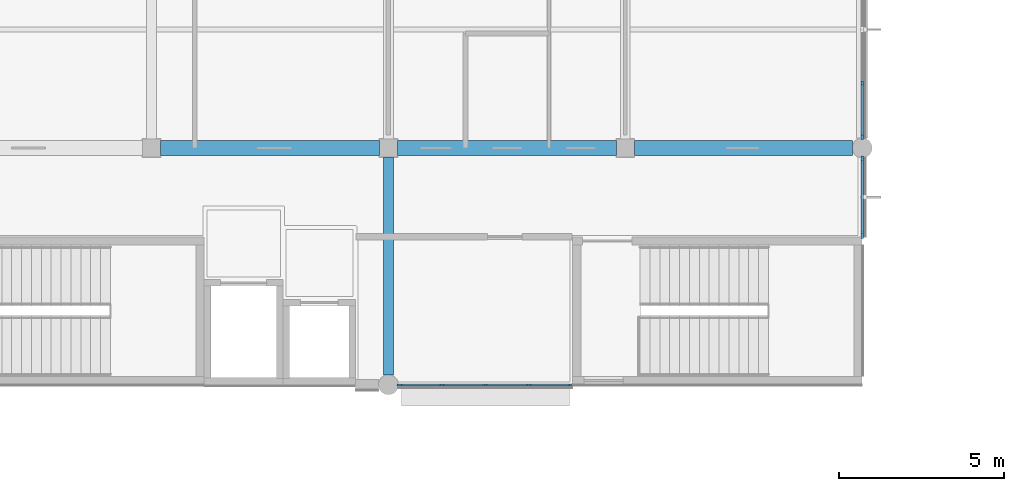
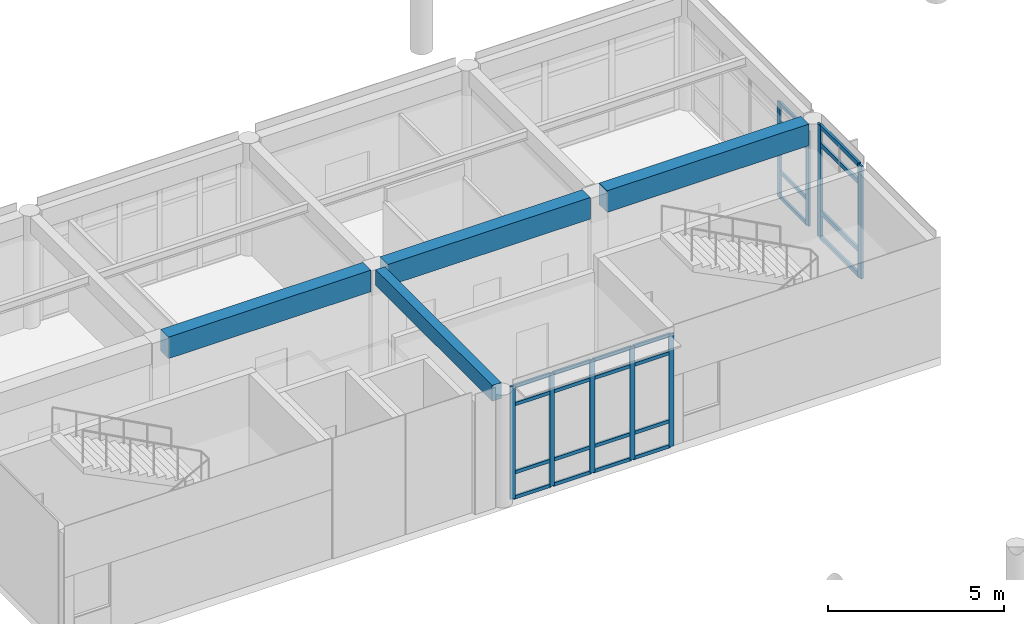
# One storey, part 5 of 29: 33 members, 4 beams, 3 elements without a shape of their own.
"""IFC4 building model written with IfcOpenShell, lengths in metres."""

from ifc_helpers import new_model, si_unit, direction, frame, origin, origin_2d, place, context, subcontext, project, spatial, rectangle, extrude, material, layer, layer_set, material_profile, profile_set, type_object, element, aggregate, save


model = new_model("IFC4")

# Units and contexts
model_context = context("Model", 3, precision=1e-05, world=origin(), true_north=direction((0.0, 1.0)))
body_context = subcontext(model_context, "Body", "Model", "MODEL_VIEW")
ifc_project = project(units=[si_unit("LENGTHUNIT", "METRE"), si_unit("AREAUNIT", "SQUARE_METRE"), si_unit("VOLUMEUNIT", "CUBIC_METRE"), si_unit("PLANEANGLEUNIT", "RADIAN"), si_unit("MASSUNIT", "GRAM", prefix="KILO")], contexts=[model_context])

# Site, building, storey
site_placement = place(None, origin())
site = spatial("IfcSite", under=ifc_project, at=site_placement, CompositionType="ELEMENT")
building_placement = place(site_placement, origin())
building = spatial("IfcBuilding", under=site, at=building_placement, Name="Namkhue Oval Health Centre", CompositionType="ELEMENT")
storey_placement = place(building_placement, frame((0.0, 0.0, 18.0)))
storey = spatial("IfcBuildingStorey", under=building, at=storey_placement, Name="L04", CompositionType="ELEMENT", Elevation=18.0)

# Curtain wall, members
ifc_material_1 = material(Name="Anodised aluminium EN AW-6063 T6", Category="aluminium")
ifc_layer_1 = layer(ifc_material_1, 0.159912109375)
ifc_layer_set_1 = layer_set([ifc_layer_1], Name="Anodised aluminium EN AW-6063 T6")
curtain_wall_type_1 = type_object("IfcCurtainWallType", Name="UNITISED CURTAIN WALL M1500", PredefinedType="NOTDEFINED", material=ifc_layer_set_1)
curtain_wall_1_placement = place(storey_placement, origin())
curtain_wall_1 = element("IfcCurtainWall", 1, at=curtain_wall_1_placement, inside=storey, type_object=curtain_wall_type_1, Name="Volume V3 L04 Unitised Curtain Wall 123", PredefinedType="NOTDEFINED")
ifc_material_profile_1 = material_profile(ifc_material_1, rectangle(XDim=0.06494140625, YDim=0.159912109375, at=origin_2d()), Name="ALU 65x160")
ifc_profile_set_1 = profile_set([ifc_material_profile_1], Name="Anodised aluminium EN AW-6063 T6")
member_type_1 = type_object("IfcMemberType", Name="CURTAIN WALL MULLION 65X160", PredefinedType="MULLION", material=ifc_profile_set_1)
member_1_placement = place(storey_placement, frame((108.342529296875, 90.0, 0.0), z_axis=(0.0, 0.0, 1.0), x_axis=(0.0, 1.0, 0.0)))
member_1 = element("IfcMember", 2, at=member_1_placement, type_object=member_type_1, Name="CW-03 mullion 1", PredefinedType="MULLION", context=body_context, shape_type="SweptSolid", body=[
    extrude(rectangle(XDim=0.06494140625, YDim=0.159912109375, at=origin_2d()), origin(), (0.0, 0.0, 1.0), 3.9150390625),
])
member_2_placement = place(storey_placement, frame((109.628173828125, 90.0, 0.0), z_axis=(0.0, 0.0, 1.0), x_axis=(0.0, 1.0, 0.0)))
member_2 = element("IfcMember", 3, at=member_2_placement, type_object=member_type_1, Name="CW-03 mullion 2", PredefinedType="MULLION", context=body_context, shape_type="SweptSolid", body=[
    extrude(rectangle(XDim=0.06494140625, YDim=0.159912109375, at=origin_2d()), origin(), (0.0, 0.0, 1.0), 3.9150390625),
])
member_3_placement = place(storey_placement, frame((110.946533203125, 90.0, 0.0), z_axis=(0.0, 0.0, 1.0), x_axis=(0.0, 1.0, 0.0)))
member_3 = element("IfcMember", 4, at=member_3_placement, type_object=member_type_1, Name="CW-03 mullion 3", PredefinedType="MULLION", context=body_context, shape_type="SweptSolid", body=[
    extrude(rectangle(XDim=0.06494140625, YDim=0.159912109375, at=origin_2d()), origin(), (0.0, 0.0, 1.0), 3.9150390625),
])
member_4_placement = place(storey_placement, frame((112.2646484375, 90.0, 0.0), z_axis=(0.0, 0.0, 1.0), x_axis=(0.0, 1.0, 0.0)))
member_4 = element("IfcMember", 5, at=member_4_placement, type_object=member_type_1, Name="CW-03 mullion 4", PredefinedType="MULLION", context=body_context, shape_type="SweptSolid", body=[
    extrude(rectangle(XDim=0.06494140625, YDim=0.159912109375, at=origin_2d()), origin(), (0.0, 0.0, 1.0), 3.9150390625),
])
member_5_placement = place(storey_placement, frame((113.550537109375, 90.0, 0.0), z_axis=(0.0, 0.0, 1.0), x_axis=(0.0, 1.0, 0.0)))
member_5 = element("IfcMember", 6, at=member_5_placement, type_object=member_type_1, Name="CW-03 mullion 5", PredefinedType="MULLION", context=body_context, shape_type="SweptSolid", body=[
    extrude(rectangle(XDim=0.06494140625, YDim=0.159912109375, at=origin_2d()), origin(), (0.0, 0.0, 1.0), 3.9150390625),
])

ifc_layer_2 = layer(ifc_material_1, 0.159912109375)
ifc_layer_set_2 = layer_set([ifc_layer_2], Name="Anodised aluminium EN AW-6063 T6")
curtain_wall_type_2 = type_object("IfcCurtainWallType", Name="UNITISED CURTAIN WALL M1800", PredefinedType="NOTDEFINED", material=ifc_layer_set_2)
curtain_wall_2_placement = place(storey_placement, origin())
curtain_wall_2 = element("IfcCurtainWall", 7, at=curtain_wall_2_placement, inside=storey, type_object=curtain_wall_type_2, Name="Volume V3 L04 Unitised Curtain Wall 125", PredefinedType="NOTDEFINED")
member_6_placement = place(storey_placement, frame((122.39990234375, 97.54248046875, 0.0), z_axis=(0.0, 0.0, 1.0), x_axis=(-1.0, 0.0, 0.0)))
member_6 = element("IfcMember", 8, at=member_6_placement, type_object=member_type_1, Name="CW-05 mullion 1", PredefinedType="MULLION", context=body_context, shape_type="SweptSolid", body=[
    extrude(rectangle(XDim=0.06494140625, YDim=0.159912109375, at=origin_2d()), origin(), (0.0, 0.0, 1.0), 3.302001953125),
])
member_7_placement = place(storey_placement, frame((122.39990234375, 99.155029296875, 0.0), z_axis=(0.0, 0.0, 1.0), x_axis=(-1.0, 0.0, 0.0)))
member_7 = element("IfcMember", 9, at=member_7_placement, type_object=member_type_1, Name="CW-05 mullion 2", PredefinedType="MULLION", context=body_context, shape_type="SweptSolid", body=[
    extrude(rectangle(XDim=0.06494140625, YDim=0.159912109375, at=origin_2d()), origin(), (0.0, 0.0, 1.0), 3.302001953125),
])

ifc_layer_3 = layer(ifc_material_1, 0.159912109375)
ifc_layer_set_3 = layer_set([ifc_layer_3], Name="Anodised aluminium EN AW-6063 T6")
curtain_wall_type_3 = type_object("IfcCurtainWallType", Name="UNITISED CURTAIN WALL M1600", PredefinedType="NOTDEFINED", material=ifc_layer_set_3)
curtain_wall_3_placement = place(storey_placement, origin())
curtain_wall_3 = element("IfcCurtainWall", 10, at=curtain_wall_3_placement, inside=storey, type_object=curtain_wall_type_3, Name="Volume V3 L04 Unitised Curtain Wall 124", PredefinedType="NOTDEFINED")
ifc_material_profile_2 = material_profile(ifc_material_1, rectangle(XDim=0.074951171875, YDim=0.199951171875, at=origin_2d()), Name="ALU 75x200")
ifc_profile_set_2 = profile_set([ifc_material_profile_2], Name="Anodised aluminium EN AW-6063 T6")
member_type_2 = type_object("IfcMemberType", Name="CURTAIN WALL MULLION 75X200", PredefinedType="MULLION", material=ifc_profile_set_2)
member_8_placement = place(storey_placement, frame((122.39990234375, 94.554443359375, 0.0), z_axis=(0.0, 0.0, 1.0), x_axis=(-1.0, 0.0, 0.0)))
member_8 = element("IfcMember", 11, at=member_8_placement, type_object=member_type_2, Name="CW-04 mullion 1", PredefinedType="MULLION", context=body_context, shape_type="SweptSolid", body=[
    extrude(rectangle(XDim=0.074951171875, YDim=0.199951171875, at=origin_2d()), origin(), (0.0, 0.0, 1.0), 3.9150390625),
])
member_9_placement = place(storey_placement, frame((122.39990234375, 96.8525390625, 0.0), z_axis=(0.0, 0.0, 1.0), x_axis=(-1.0, 0.0, 0.0)))
member_9 = element("IfcMember", 12, at=member_9_placement, type_object=member_type_2, Name="CW-04 mullion 2", PredefinedType="MULLION", context=body_context, shape_type="SweptSolid", body=[
    extrude(rectangle(XDim=0.074951171875, YDim=0.199951171875, at=origin_2d()), origin(), (0.0, 0.0, 1.0), 3.9150390625),
])

# Member
ifc_material_profile_3 = material_profile(ifc_material_1, rectangle(XDim=0.06494140625, YDim=0.1201171875, at=origin_2d()), Name="ALU 65x120")
ifc_profile_set_3 = profile_set([ifc_material_profile_3], Name="Anodised aluminium EN AW-6063 T6")
member_type_3 = type_object("IfcMemberType", Name="CURTAIN WALL TRANSOM 65X120", PredefinedType="USERDEFINED", material=ifc_profile_set_3)
member_10_placement = place(storey_placement, frame((108.375, 90.0, 0.032470703125), z_axis=(1.0, 0.0, 0.0), x_axis=(0.0, 1.0, 0.0)))
member_10 = element("IfcMember", 13, at=member_10_placement, type_object=member_type_3, Name="CW-03 transom 1.1", ObjectType="TRANSOM", PredefinedType="USERDEFINED", context=body_context, shape_type="SweptSolid", body=[
    extrude(rectangle(XDim=0.06494140625, YDim=0.1201171875, at=origin_2d()), origin(), (0.0, 0.0, 1.0), 1.220703125),
])

member_11_placement = place(storey_placement, frame((108.375, 90.0, 0.89990234375), z_axis=(1.0, 0.0, 0.0), x_axis=(0.0, 1.0, 0.0)))
member_11 = element("IfcMember", 14, at=member_11_placement, type_object=member_type_3, Name="CW-03 transom 1.2", ObjectType="TRANSOM", PredefinedType="USERDEFINED", context=body_context, shape_type="SweptSolid", body=[
    extrude(rectangle(XDim=0.06494140625, YDim=0.1201171875, at=origin_2d()), origin(), (0.0, 0.0, 1.0), 1.220703125),
])

member_12_placement = place(storey_placement, frame((108.375, 90.0, 3.264892578125), z_axis=(1.0, 0.0, 0.0), x_axis=(0.0, 1.0, 0.0)))
member_12 = element("IfcMember", 15, at=member_12_placement, type_object=member_type_3, Name="CW-03 transom 1.3", ObjectType="TRANSOM", PredefinedType="USERDEFINED", context=body_context, shape_type="SweptSolid", body=[
    extrude(rectangle(XDim=0.06494140625, YDim=0.1201171875, at=origin_2d()), origin(), (0.0, 0.0, 1.0), 1.220703125),
])

member_13_placement = place(storey_placement, frame((108.375, 90.0, 3.882568359375), z_axis=(1.0, 0.0, 0.0), x_axis=(0.0, 1.0, 0.0)))
member_13 = element("IfcMember", 16, at=member_13_placement, type_object=member_type_3, Name="CW-03 transom 1.4", ObjectType="TRANSOM", PredefinedType="USERDEFINED", context=body_context, shape_type="SweptSolid", body=[
    extrude(rectangle(XDim=0.06494140625, YDim=0.1201171875, at=origin_2d()), origin(), (0.0, 0.0, 1.0), 1.220703125),
])

member_14_placement = place(storey_placement, frame((109.66064453125, 90.0, 0.032470703125), z_axis=(1.0, 0.0, 0.0), x_axis=(0.0, 1.0, 0.0)))
member_14 = element("IfcMember", 17, at=member_14_placement, type_object=member_type_3, Name="CW-03 transom 2.1", ObjectType="TRANSOM", PredefinedType="USERDEFINED", context=body_context, shape_type="SweptSolid", body=[
    extrude(rectangle(XDim=0.06494140625, YDim=0.1201171875, at=origin_2d()), origin(), (0.0, 0.0, 1.0), 1.25341796875),
])

member_15_placement = place(storey_placement, frame((109.66064453125, 90.0, 0.89990234375), z_axis=(1.0, 0.0, 0.0), x_axis=(0.0, 1.0, 0.0)))
member_15 = element("IfcMember", 18, at=member_15_placement, type_object=member_type_3, Name="CW-03 transom 2.2", ObjectType="TRANSOM", PredefinedType="USERDEFINED", context=body_context, shape_type="SweptSolid", body=[
    extrude(rectangle(XDim=0.06494140625, YDim=0.1201171875, at=origin_2d()), origin(), (0.0, 0.0, 1.0), 1.25341796875),
])

member_16_placement = place(storey_placement, frame((109.66064453125, 90.0, 3.264892578125), z_axis=(1.0, 0.0, 0.0), x_axis=(0.0, 1.0, 0.0)))
member_16 = element("IfcMember", 19, at=member_16_placement, type_object=member_type_3, Name="CW-03 transom 2.3", ObjectType="TRANSOM", PredefinedType="USERDEFINED", context=body_context, shape_type="SweptSolid", body=[
    extrude(rectangle(XDim=0.06494140625, YDim=0.1201171875, at=origin_2d()), origin(), (0.0, 0.0, 1.0), 1.25341796875),
])

member_17_placement = place(storey_placement, frame((109.66064453125, 90.0, 3.882568359375), z_axis=(1.0, 0.0, 0.0), x_axis=(0.0, 1.0, 0.0)))
member_17 = element("IfcMember", 20, at=member_17_placement, type_object=member_type_3, Name="CW-03 transom 2.4", ObjectType="TRANSOM", PredefinedType="USERDEFINED", context=body_context, shape_type="SweptSolid", body=[
    extrude(rectangle(XDim=0.06494140625, YDim=0.1201171875, at=origin_2d()), origin(), (0.0, 0.0, 1.0), 1.25341796875),
])

member_18_placement = place(storey_placement, frame((110.97900390625, 90.0, 0.032470703125), z_axis=(1.0, 0.0, 0.0), x_axis=(0.0, 1.0, 0.0)))
member_18 = element("IfcMember", 21, at=member_18_placement, type_object=member_type_3, Name="CW-03 transom 3.1", ObjectType="TRANSOM", PredefinedType="USERDEFINED", context=body_context, shape_type="SweptSolid", body=[
    extrude(rectangle(XDim=0.06494140625, YDim=0.1201171875, at=origin_2d()), origin(), (0.0, 0.0, 1.0), 1.253173828125),
])

member_19_placement = place(storey_placement, frame((110.97900390625, 90.0, 0.89990234375), z_axis=(1.0, 0.0, 0.0), x_axis=(0.0, 1.0, 0.0)))
member_19 = element("IfcMember", 22, at=member_19_placement, type_object=member_type_3, Name="CW-03 transom 3.2", ObjectType="TRANSOM", PredefinedType="USERDEFINED", context=body_context, shape_type="SweptSolid", body=[
    extrude(rectangle(XDim=0.06494140625, YDim=0.1201171875, at=origin_2d()), origin(), (0.0, 0.0, 1.0), 1.253173828125),
])

member_20_placement = place(storey_placement, frame((110.97900390625, 90.0, 3.264892578125), z_axis=(1.0, 0.0, 0.0), x_axis=(0.0, 1.0, 0.0)))
member_20 = element("IfcMember", 23, at=member_20_placement, type_object=member_type_3, Name="CW-03 transom 3.3", ObjectType="TRANSOM", PredefinedType="USERDEFINED", context=body_context, shape_type="SweptSolid", body=[
    extrude(rectangle(XDim=0.06494140625, YDim=0.1201171875, at=origin_2d()), origin(), (0.0, 0.0, 1.0), 1.253173828125),
])

member_21_placement = place(storey_placement, frame((110.97900390625, 90.0, 3.882568359375), z_axis=(1.0, 0.0, 0.0), x_axis=(0.0, 1.0, 0.0)))
member_21 = element("IfcMember", 24, at=member_21_placement, type_object=member_type_3, Name="CW-03 transom 3.4", ObjectType="TRANSOM", PredefinedType="USERDEFINED", context=body_context, shape_type="SweptSolid", body=[
    extrude(rectangle(XDim=0.06494140625, YDim=0.1201171875, at=origin_2d()), origin(), (0.0, 0.0, 1.0), 1.253173828125),
])

member_22_placement = place(storey_placement, frame((112.29736328125, 90.0, 0.032470703125), z_axis=(1.0, 0.0, 0.0), x_axis=(0.0, 1.0, 0.0)))
member_22 = element("IfcMember", 25, at=member_22_placement, type_object=member_type_3, Name="CW-03 transom 4.1", ObjectType="TRANSOM", PredefinedType="USERDEFINED", context=body_context, shape_type="SweptSolid", body=[
    extrude(rectangle(XDim=0.06494140625, YDim=0.1201171875, at=origin_2d()), origin(), (0.0, 0.0, 1.0), 1.220703125),
])

member_23_placement = place(storey_placement, frame((112.29736328125, 90.0, 0.89990234375), z_axis=(1.0, 0.0, 0.0), x_axis=(0.0, 1.0, 0.0)))
member_23 = element("IfcMember", 26, at=member_23_placement, type_object=member_type_3, Name="CW-03 transom 4.2", ObjectType="TRANSOM", PredefinedType="USERDEFINED", context=body_context, shape_type="SweptSolid", body=[
    extrude(rectangle(XDim=0.06494140625, YDim=0.1201171875, at=origin_2d()), origin(), (0.0, 0.0, 1.0), 1.220703125),
])

member_24_placement = place(storey_placement, frame((112.29736328125, 90.0, 3.264892578125), z_axis=(1.0, 0.0, 0.0), x_axis=(0.0, 1.0, 0.0)))
member_24 = element("IfcMember", 27, at=member_24_placement, type_object=member_type_3, Name="CW-03 transom 4.3", ObjectType="TRANSOM", PredefinedType="USERDEFINED", context=body_context, shape_type="SweptSolid", body=[
    extrude(rectangle(XDim=0.06494140625, YDim=0.1201171875, at=origin_2d()), origin(), (0.0, 0.0, 1.0), 1.220703125),
])

member_25_placement = place(storey_placement, frame((112.29736328125, 90.0, 3.882568359375), z_axis=(1.0, 0.0, 0.0), x_axis=(0.0, 1.0, 0.0)))
member_25 = element("IfcMember", 28, at=member_25_placement, type_object=member_type_3, Name="CW-03 transom 4.4", ObjectType="TRANSOM", PredefinedType="USERDEFINED", context=body_context, shape_type="SweptSolid", body=[
    extrude(rectangle(XDim=0.06494140625, YDim=0.1201171875, at=origin_2d()), origin(), (0.0, 0.0, 1.0), 1.220703125),
])

aggregate(curtain_wall_1, [member_1, member_2, member_3, member_4, member_5, member_10, member_11, member_12, member_13, member_14, member_15, member_16, member_17, member_18, member_19, member_20, member_21, member_22, member_23, member_24, member_25])

member_26_placement = place(storey_placement, frame((122.39990234375, 97.574951171875, 0.032470703125), z_axis=(0.0, 1.0, 0.0), x_axis=(-1.0, 0.0, 0.0)))
member_26 = element("IfcMember", 29, at=member_26_placement, type_object=member_type_3, Name="CW-05 transom 1.1", ObjectType="TRANSOM", PredefinedType="USERDEFINED", context=body_context, shape_type="SweptSolid", body=[
    extrude(rectangle(XDim=0.06494140625, YDim=0.1201171875, at=origin_2d()), origin(), (0.0, 0.0, 1.0), 1.547607421875),
])

member_27_placement = place(storey_placement, frame((122.39990234375, 97.574951171875, 0.89990234375), z_axis=(0.0, 1.0, 0.0), x_axis=(-1.0, 0.0, 0.0)))
member_27 = element("IfcMember", 30, at=member_27_placement, type_object=member_type_3, Name="CW-05 transom 1.2", ObjectType="TRANSOM", PredefinedType="USERDEFINED", context=body_context, shape_type="SweptSolid", body=[
    extrude(rectangle(XDim=0.06494140625, YDim=0.1201171875, at=origin_2d()), origin(), (0.0, 0.0, 1.0), 1.547607421875),
])

member_28_placement = place(storey_placement, frame((122.39990234375, 97.574951171875, 2.652099609375), z_axis=(0.0, 1.0, 0.0), x_axis=(-1.0, 0.0, 0.0)))
member_28 = element("IfcMember", 31, at=member_28_placement, type_object=member_type_3, Name="CW-05 transom 1.3", ObjectType="TRANSOM", PredefinedType="USERDEFINED", context=body_context, shape_type="SweptSolid", body=[
    extrude(rectangle(XDim=0.06494140625, YDim=0.1201171875, at=origin_2d()), origin(), (0.0, 0.0, 1.0), 1.547607421875),
])

member_29_placement = place(storey_placement, frame((122.39990234375, 97.574951171875, 3.26953125), z_axis=(0.0, 1.0, 0.0), x_axis=(-1.0, 0.0, 0.0)))
member_29 = element("IfcMember", 32, at=member_29_placement, type_object=member_type_3, Name="CW-05 transom 1.4", ObjectType="TRANSOM", PredefinedType="USERDEFINED", context=body_context, shape_type="SweptSolid", body=[
    extrude(rectangle(XDim=0.06494140625, YDim=0.1201171875, at=origin_2d()), origin(), (0.0, 0.0, 1.0), 1.547607421875),
])

aggregate(curtain_wall_2, [member_6, member_7, member_26, member_27, member_28, member_29])

ifc_material_profile_4 = material_profile(ifc_material_1, rectangle(XDim=0.074951171875, YDim=0.14990234375, at=origin_2d()), Name="ALU 75x150")
ifc_profile_set_4 = profile_set([ifc_material_profile_4], Name="Anodised aluminium EN AW-6063 T6")
member_type_4 = type_object("IfcMemberType", Name="CURTAIN WALL TRANSOM 75X150", PredefinedType="USERDEFINED", material=ifc_profile_set_4)
member_30_placement = place(storey_placement, frame((122.39990234375, 94.592041015625, 0.03759765625), z_axis=(0.0, 1.0, 0.0), x_axis=(-1.0, 0.0, 0.0)))
member_30 = element("IfcMember", 33, at=member_30_placement, type_object=member_type_4, Name="CW-04 transom 1.1", ObjectType="TRANSOM", PredefinedType="USERDEFINED", context=body_context, shape_type="SweptSolid", body=[
    extrude(rectangle(XDim=0.074951171875, YDim=0.14990234375, at=origin_2d()), origin(), (0.0, 0.0, 1.0), 2.222900390625),
])

member_31_placement = place(storey_placement, frame((122.39990234375, 94.592041015625, 0.89990234375), z_axis=(0.0, 1.0, 0.0), x_axis=(-1.0, 0.0, 0.0)))
member_31 = element("IfcMember", 34, at=member_31_placement, type_object=member_type_4, Name="CW-04 transom 1.2", ObjectType="TRANSOM", PredefinedType="USERDEFINED", context=body_context, shape_type="SweptSolid", body=[
    extrude(rectangle(XDim=0.074951171875, YDim=0.14990234375, at=origin_2d()), origin(), (0.0, 0.0, 1.0), 2.222900390625),
])

member_32_placement = place(storey_placement, frame((122.39990234375, 94.592041015625, 3.264892578125), z_axis=(0.0, 1.0, 0.0), x_axis=(-1.0, 0.0, 0.0)))
member_32 = element("IfcMember", 35, at=member_32_placement, type_object=member_type_4, Name="CW-04 transom 1.3", ObjectType="TRANSOM", PredefinedType="USERDEFINED", context=body_context, shape_type="SweptSolid", body=[
    extrude(rectangle(XDim=0.074951171875, YDim=0.14990234375, at=origin_2d()), origin(), (0.0, 0.0, 1.0), 2.222900390625),
])

member_33_placement = place(storey_placement, frame((122.39990234375, 94.592041015625, 3.87744140625), z_axis=(0.0, 1.0, 0.0), x_axis=(-1.0, 0.0, 0.0)))
member_33 = element("IfcMember", 36, at=member_33_placement, type_object=member_type_4, Name="CW-04 transom 1.4", ObjectType="TRANSOM", PredefinedType="USERDEFINED", context=body_context, shape_type="SweptSolid", body=[
    extrude(rectangle(XDim=0.074951171875, YDim=0.14990234375, at=origin_2d()), origin(), (0.0, 0.0, 1.0), 2.222900390625),
])

aggregate(curtain_wall_3, [member_8, member_9, member_30, member_31, member_32, member_33])

# Beams
ifc_material_2 = material(Name="Reinforced concrete C30/37 (TCVN B35)", Category="concrete")
ifc_material_profile_5 = material_profile(ifc_material_2, rectangle(XDim=0.300048828125, YDim=0.550048828125, at=origin_2d()), Name="RC 300x550")
ifc_profile_set_5 = profile_set([ifc_material_profile_5], Name="Reinforced concrete C30/37 (TCVN B35)")
beam_type_1 = type_object("IfcBeamType", Name="FLOOR BEAM RC 300X550", PredefinedType="BEAM", material=ifc_profile_set_5)
beam_1_placement = place(storey_placement, frame((108.0, 90.300048828125, 3.639892578125), z_axis=(0.0, 1.0, 0.0), x_axis=(-1.0, 0.0, 0.0)))
element("IfcBeam", 37, at=beam_1_placement, inside=storey, type_object=beam_type_1, Name="Volume V3 L05 Beam 16/N-O", PredefinedType="BEAM", context=body_context, shape_type="SweptSolid", body=[
    extrude(rectangle(XDim=0.300048828125, YDim=0.550048828125, at=origin_2d()), origin(), (0.0, 0.0, 1.0), 6.625),
])
ifc_material_3 = material(Name="Reinforced concrete C35/45 (TCVN B40)", Category="concrete")
ifc_material_profile_6 = material_profile(ifc_material_3, rectangle(XDim=0.449951171875, YDim=0.75, at=origin_2d()), Name="RC 450x750")
ifc_profile_set_6 = profile_set([ifc_material_profile_6], Name="Reinforced concrete C35/45 (TCVN B40)")
beam_type_2 = type_object("IfcBeamType", Name="PRIMARY GIRDER RC 450X750", PredefinedType="USERDEFINED", material=ifc_profile_set_6)
for number, where, z_axis, x_axis, name in (
    (38, (101.074951171875, 97.199951171875, 3.5400390625), (1.0, 0.0, 0.0), (0.0, 1.0, 0.0), "Volume V3 L05 Girder O/15-16"),
    (39, (108.27490234375, 97.199951171875, 3.5400390625), (1.0, 0.0, 0.0), (0.0, 1.0, 0.0), "Volume V3 L05 Girder O/16-17"),
):
    element("IfcBeam", number, at=place(storey_placement, frame(where, z_axis=z_axis, x_axis=x_axis)), inside=storey, type_object=beam_type_2, Name=name, ObjectType="GIRDER", PredefinedType="USERDEFINED", context=body_context, shape_type="SweptSolid", body=[
        extrude(rectangle(XDim=0.449951171875, YDim=0.75, at=origin_2d()), origin(), (0.0, 0.0, 1.0), 6.650146484375),
    ])
beam_2_placement = place(storey_placement, frame((115.47509765625, 97.199951171875, 3.576904296875), z_axis=(1.0, 0.0, 0.0), x_axis=(0.0, 1.0, 0.0)))
element("IfcBeam", 40, at=beam_2_placement, inside=storey, type_object=beam_type_2, Name="Volume V3 L05 Girder O/17-18", ObjectType="GIRDER", PredefinedType="USERDEFINED", context=body_context, shape_type="SweptSolid", body=[
    extrude(rectangle(XDim=0.449951171875, YDim=0.75, at=origin_2d()), origin(), (0.0, 0.0, 1.0), 6.625),
])

save(model, "model.ifc")
